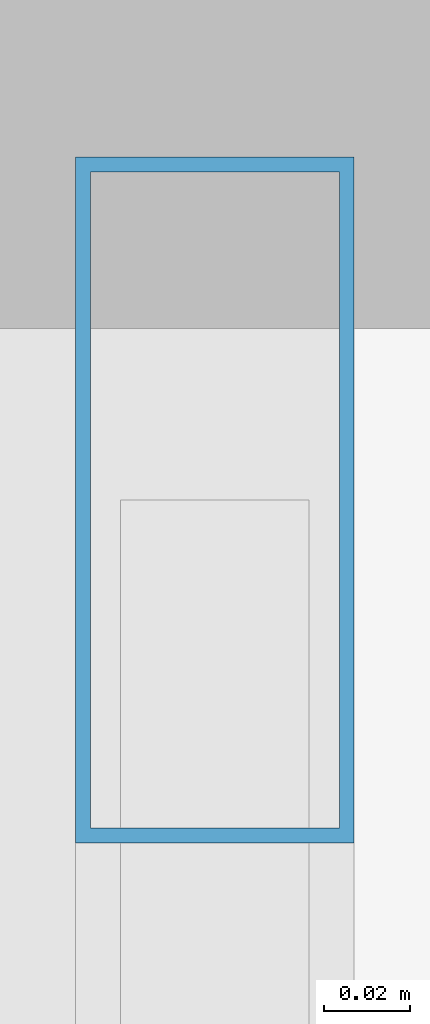
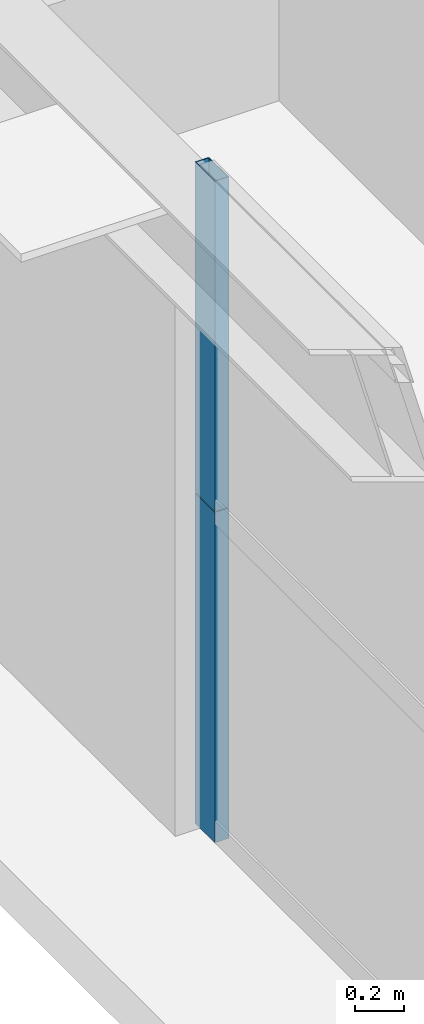
# One storey, part 23 of 37: 2 members, 1 element without a shape of its own.
"""IFC4 building model written with IfcOpenShell, lengths in metres."""

from ifc_helpers import new_model, si_unit, direction, frame, origin, origin_2d, place, context, subcontext, project, spatial, hollow_rectangle, extrude, source, transform, mapped, material, layer, layer_set, material_profile, profile_set, type_object, element, aggregate, save


model = new_model("IFC4")

# Units and contexts
model_context = context("Model", 3, precision=1e-05, world=origin(), true_north=direction((0.0, 1.0)))
body_context = subcontext(model_context, "Body", "Model", "MODEL_VIEW")
ifc_project = project(units=[si_unit("LENGTHUNIT", "METRE"), si_unit("AREAUNIT", "SQUARE_METRE"), si_unit("VOLUMEUNIT", "CUBIC_METRE"), si_unit("PLANEANGLEUNIT", "RADIAN"), si_unit("MASSUNIT", "GRAM", prefix="KILO"), si_unit("THERMODYNAMICTEMPERATUREUNIT", "KELVIN"), si_unit("POWERUNIT", "WATT")], contexts=[model_context])

# Site, building, storey
site_placement = place(None, origin())
site = spatial("IfcSite", under=ifc_project, at=site_placement, CompositionType="ELEMENT")
building_placement = place(site_placement, origin())
building = spatial("IfcBuilding", under=site, at=building_placement, Name="Yuzanri Waterfront Tower", CompositionType="ELEMENT")
storey_placement = place(building_placement, frame((0.0, 0.0, 275.10009765625)))
storey = spatial("IfcBuildingStorey", under=building, at=storey_placement, Name="L73", CompositionType="ELEMENT", Elevation=275.10009765625)

# Curtain wall, members
ifc_material_1 = material(Name="Anodized Architectural Bronze", Category="metal")
ifc_layer = layer(ifc_material_1, 0.159912109375)
ifc_layer_set = layer_set([ifc_layer], Name="Anodized Architectural Bronze")
curtain_wall_type = type_object("IfcCurtainWallType", Name="Anodized Bronze Mid-Rise Residential Acoustic Unitized Curtain Wall 7200", PredefinedType="NOTDEFINED", material=ifc_layer_set)
curtain_wall_placement = place(storey_placement, origin())
curtain_wall = element("IfcCurtainWall", 1, at=curtain_wall_placement, inside=storey, type_object=curtain_wall_type, Name="L73 Curtain Wall CW-L73-WR", PredefinedType="NOTDEFINED")
ifc_material_2 = material(Name="Anodized Architectural Bronze", Category="metal")
ifc_material_profile = material_profile(ifc_material_2, hollow_rectangle(XDim=0.06494140625, YDim=0.159912109375, WallThickness=0.00341796875, at=origin_2d()), Name="CWM 65x160")
ifc_profile_set = profile_set([ifc_material_profile], Name="Anodized Architectural Bronze")
member_type = type_object("IfcMemberType", Name="Anodized Bronze Upper-Zone Curtain-Wall Mullion 65x160", PredefinedType="MULLION", material=ifc_profile_set)
shared_shape = source(origin(), body_context, "Body", "SweptSolid", [
    extrude(hollow_rectangle(XDim=0.06494140625, YDim=0.159912109375, WallThickness=0.00341796875, at=origin_2d()), origin(), (0.0, 0.0, 1.0), 1.637939453125),
])
member_1_placement = place(storey_placement, frame((16.550048828125, 39.010009765625, 0.0), z_axis=(0.0, 0.0, 1.0), x_axis=(1.0, 0.0, 0.0)))
member_1 = element("IfcMember", 2, at=member_1_placement, type_object=member_type, Name="CW-L73-WR Lower Mullion 02", PredefinedType="MULLION", context=body_context, shape_type="MappedRepresentation", body=[
    mapped(shared_shape, transform((0.0, 0.0, 0.0), scale=1.0)),
])
member_2_placement = place(storey_placement, frame((16.550048828125, 39.010009765625, 1.641845703125), z_axis=(0.0, 0.0, 1.0), x_axis=(1.0, 0.0, 0.0)))
member_2 = element("IfcMember", 3, at=member_2_placement, type_object=member_type, Name="CW-L73-WR Upper Mullion 02", PredefinedType="MULLION", context=body_context, shape_type="MappedRepresentation", body=[
    mapped(shared_shape, transform((0.0, 0.0, 0.0), scale=1.0)),
])
aggregate(curtain_wall, [member_1, member_2])

save(model, "model.ifc")
